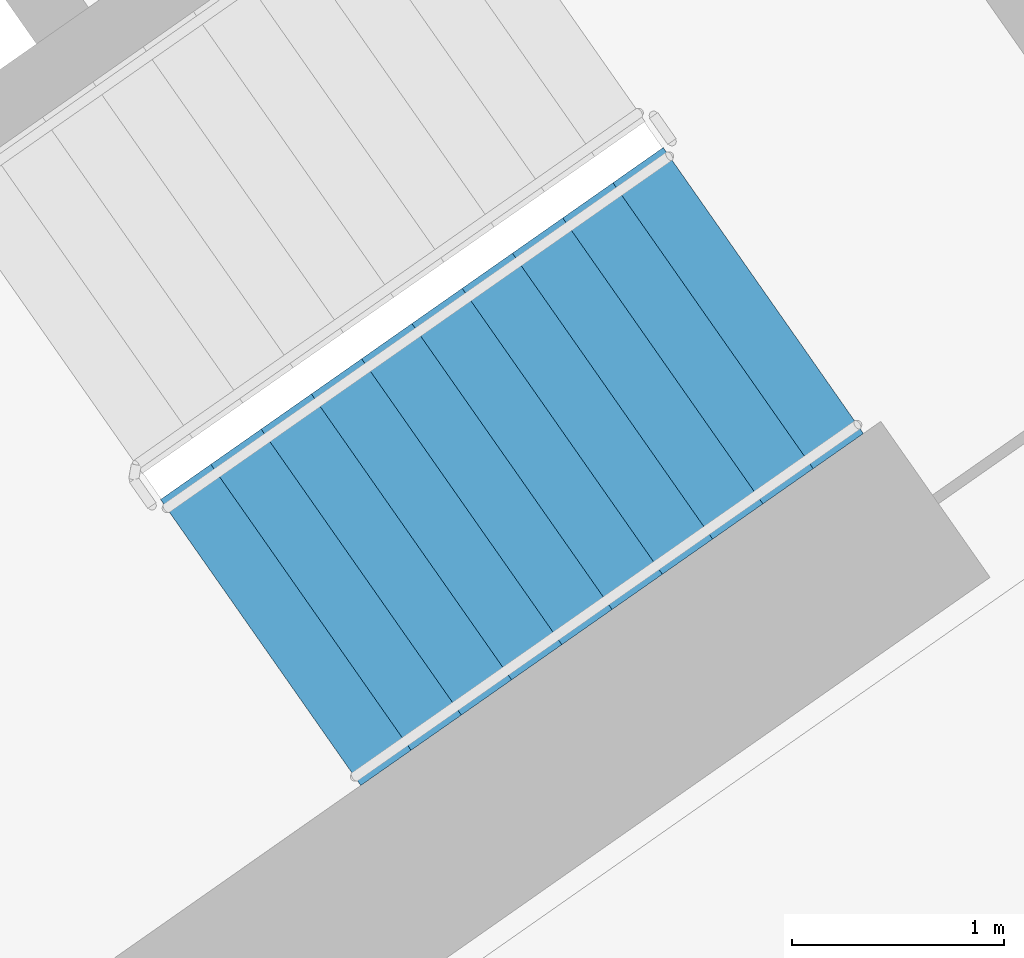
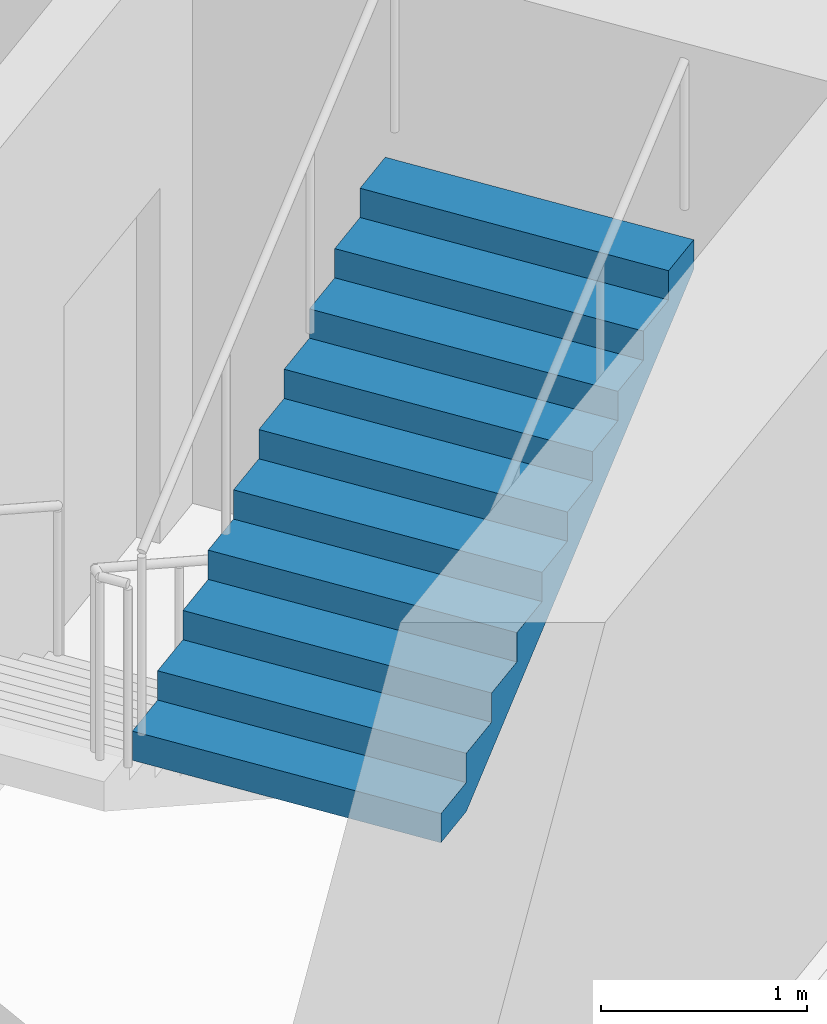
# One storey, part 16 of 29: 1 stair flight, 1 element without a shape of its own.
"""IFC4 building model written with IfcOpenShell, lengths in metres."""

from ifc_helpers import new_model, si_unit, direction, frame, origin, place, context, subcontext, project, spatial, faceted_brep, material, type_object, element, aggregate, save


model = new_model("IFC4")

# Units and contexts
model_context = context("Model", 3, precision=1e-05, world=origin(), true_north=direction((0.0, 1.0)))
body_context = subcontext(model_context, "Body", "Model", "MODEL_VIEW")
ifc_project = project(units=[si_unit("LENGTHUNIT", "METRE"), si_unit("AREAUNIT", "SQUARE_METRE"), si_unit("VOLUMEUNIT", "CUBIC_METRE"), si_unit("PLANEANGLEUNIT", "RADIAN"), si_unit("MASSUNIT", "GRAM", prefix="KILO")], contexts=[model_context])

# Site, building, storey
site_placement = place(None, origin())
site = spatial("IfcSite", under=ifc_project, at=site_placement, CompositionType="ELEMENT")
building_placement = place(site_placement, origin())
building = spatial("IfcBuilding", under=site, at=building_placement, Name="Qamariyya Broadcast Tower", CompositionType="ELEMENT")
storey_placement = place(building_placement, frame((0.0, 0.0, 129.10009765625)))
storey = spatial("IfcBuildingStorey", under=building, at=storey_placement, Name="L29", CompositionType="ELEMENT", Elevation=129.10009765625)

# Stair, stair flight
ifc_material = material(Name="Concrete C50/60", Category="concrete")
stair_type = type_object("IfcStairType", Name="Exit stair 22 risers of 173 mm", PredefinedType="HALF_TURN_STAIR", material=ifc_material)
stair_placement = place(storey_placement, origin())
stair = element("IfcStair", 1, at=stair_placement, inside=storey, type_object=stair_type, Name="L29 Stair E1", PredefinedType="HALF_TURN_STAIR")
stair_flight_type = type_object("IfcStairFlightType", Name="Exit stair flight 11 risers of 173 mm", PredefinedType="STRAIGHT", material=ifc_material)
stair_flight_placement = place(storey_placement, frame((44.693359375, -58.64599609375, 1.89990234375), z_axis=(0.0, 0.0, 1.0), x_axis=(0.819152044289, 0.573576436351, 0.0)))
stair_flight = element("IfcStairFlight", 2, at=stair_flight_placement, type_object=stair_flight_type, Name="ST-E1 flight 2", NumberOfRisers=11, NumberOfTreads=10, PredefinedType="STRAIGHT", RiserHeight=0.172727273, TreadLength=0.29, context=body_context, shape_type="Brep", body=[
    faceted_brep([(0.0, 0.824951171875, 0.0), (0.0, 0.824951171875, 0.172607421875), (0.2900390625, 0.824951171875, 0.172607421875), (0.2900390625, 0.824951171875, 0.345458984375), (0.580078125, 0.824951171875, 0.345458984375), (0.580078125, 0.824951171875, 0.51806640625), (0.8701171875, 0.824951171875, 0.51806640625), (0.8701171875, 0.824951171875, 0.69091796875), (1.159912109375, 0.824951171875, 0.69091796875), (1.159912109375, 0.824951171875, 0.863525390625), (1.449951171875, 0.824951171875, 0.863525390625), (1.449951171875, 0.824951171875, 1.036376953125), (1.739990234375, 0.824951171875, 1.036376953125), (1.739990234375, 0.824951171875, 1.208984375), (2.030029296875, 0.824951171875, 1.208984375), (2.030029296875, 0.824951171875, 1.3818359375), (2.320068359375, 0.824951171875, 1.3818359375), (2.320068359375, 0.824951171875, 1.554443359375), (2.610107421875, 0.824951171875, 1.554443359375), (2.610107421875, 0.824951171875, 1.727294921875), (2.89990234375, 0.824951171875, 1.727294921875), (2.89990234375, 0.824951171875, 1.552734375), (0.29296875, 0.824951171875, 0.0), (0.29296875, -0.824951171875, 0.0), (2.89990234375, -0.824951171875, 1.552734375), (2.89990234375, -0.824951171875, 1.727294921875), (2.610107421875, -0.824951171875, 1.727294921875), (2.610107421875, -0.824951171875, 1.554443359375), (2.320068359375, -0.824951171875, 1.554443359375), (2.320068359375, -0.824951171875, 1.3818359375), (2.030029296875, -0.824951171875, 1.3818359375), (2.030029296875, -0.824951171875, 1.208984375), (1.739990234375, -0.824951171875, 1.208984375), (1.739990234375, -0.824951171875, 1.036376953125), (1.449951171875, -0.824951171875, 1.036376953125), (1.449951171875, -0.824951171875, 0.863525390625), (1.159912109375, -0.824951171875, 0.863525390625), (1.159912109375, -0.824951171875, 0.69091796875), (0.8701171875, -0.824951171875, 0.69091796875), (0.8701171875, -0.824951171875, 0.51806640625), (0.580078125, -0.824951171875, 0.51806640625), (0.580078125, -0.824951171875, 0.345458984375), (0.2900390625, -0.824951171875, 0.345458984375), (0.2900390625, -0.824951171875, 0.172607421875), (0.0, -0.824951171875, 0.172607421875), (0.0, -0.824951171875, 0.0), (0.0, 0.10009765625, 0.0), (0.0, 0.086669921875, 0.0), (0.0, 0.0732421875, 0.0), (0.0, 0.06005859375, 0.0), (0.0, 0.046630859375, 0.0), (0.0, 0.033447265625, 0.0), (0.0, 0.02001953125, 0.0), (0.0, 0.006591796875, 0.0), (0.0, -0.006591796875, 0.0), (0.0, -0.02001953125, 0.0), (0.0, -0.033447265625, 0.0), (0.0, -0.046630859375, 0.0), (0.0, -0.06005859375, 0.0), (0.0, -0.0732421875, 0.0), (0.0, -0.086669921875, 0.0), (0.0, -0.10009765625, 0.0), (0.0, -0.10009765625, 0.172607421875), (0.0, -0.086669921875, 0.172607421875), (0.0, -0.0732421875, 0.172607421875), (0.0, -0.06005859375, 0.172607421875), (0.0, -0.046630859375, 0.172607421875), (0.0, -0.033447265625, 0.172607421875), (0.0, -0.02001953125, 0.172607421875), (0.0, -0.006591796875, 0.172607421875), (0.0, 0.006591796875, 0.172607421875), (0.0, 0.02001953125, 0.172607421875), (0.0, 0.033447265625, 0.172607421875), (0.0, 0.046630859375, 0.172607421875), (0.0, 0.06005859375, 0.172607421875), (0.0, 0.0732421875, 0.172607421875), (0.0, 0.086669921875, 0.172607421875), (0.0, 0.10009765625, 0.172607421875), (0.2900390625, -0.10009765625, 0.172607421875), (0.2900390625, -0.086669921875, 0.172607421875), (0.2900390625, -0.0732421875, 0.172607421875), (0.2900390625, -0.06005859375, 0.172607421875), (0.2900390625, -0.046630859375, 0.172607421875), (0.2900390625, -0.033447265625, 0.172607421875), (0.2900390625, -0.02001953125, 0.172607421875), (0.2900390625, -0.006591796875, 0.172607421875), (0.2900390625, 0.006591796875, 0.172607421875), (0.2900390625, 0.02001953125, 0.172607421875), (0.2900390625, 0.033447265625, 0.172607421875), (0.2900390625, 0.046630859375, 0.172607421875), (0.2900390625, 0.06005859375, 0.172607421875), (0.2900390625, 0.0732421875, 0.172607421875), (0.2900390625, 0.086669921875, 0.172607421875), (0.2900390625, 0.10009765625, 0.172607421875), (0.2900390625, -0.10009765625, 0.345458984375), (0.2900390625, -0.086669921875, 0.345458984375), (0.2900390625, -0.0732421875, 0.345458984375), (0.2900390625, -0.06005859375, 0.345458984375), (0.2900390625, -0.046630859375, 0.345458984375), (0.2900390625, -0.033447265625, 0.345458984375), (0.2900390625, -0.02001953125, 0.345458984375), (0.2900390625, -0.006591796875, 0.345458984375), (0.2900390625, 0.006591796875, 0.345458984375), (0.2900390625, 0.02001953125, 0.345458984375), (0.2900390625, 0.033447265625, 0.345458984375), (0.2900390625, 0.046630859375, 0.345458984375), (0.2900390625, 0.06005859375, 0.345458984375), (0.2900390625, 0.0732421875, 0.345458984375), (0.2900390625, 0.086669921875, 0.345458984375), (0.2900390625, 0.10009765625, 0.345458984375), (0.580078125, -0.10009765625, 0.345458984375), (0.580078125, -0.086669921875, 0.345458984375), (0.580078125, -0.0732421875, 0.345458984375), (0.580078125, -0.06005859375, 0.345458984375), (0.580078125, -0.046630859375, 0.345458984375), (0.580078125, -0.033447265625, 0.345458984375), (0.580078125, -0.02001953125, 0.345458984375), (0.580078125, -0.006591796875, 0.345458984375), (0.580078125, 0.006591796875, 0.345458984375), (0.580078125, 0.02001953125, 0.345458984375), (0.580078125, 0.033447265625, 0.345458984375), (0.580078125, 0.046630859375, 0.345458984375), (0.580078125, 0.06005859375, 0.345458984375), (0.580078125, 0.0732421875, 0.345458984375), (0.580078125, 0.086669921875, 0.345458984375), (0.580078125, 0.10009765625, 0.345458984375), (0.580078125, -0.10009765625, 0.51806640625), (0.580078125, -0.086669921875, 0.51806640625), (0.580078125, -0.0732421875, 0.51806640625), (0.580078125, -0.06005859375, 0.51806640625), (0.580078125, -0.046630859375, 0.51806640625), (0.580078125, -0.033447265625, 0.51806640625), (0.580078125, -0.02001953125, 0.51806640625), (0.580078125, -0.006591796875, 0.51806640625), (0.580078125, 0.006591796875, 0.51806640625), (0.580078125, 0.02001953125, 0.51806640625), (0.580078125, 0.033447265625, 0.51806640625), (0.580078125, 0.046630859375, 0.51806640625), (0.580078125, 0.06005859375, 0.51806640625), (0.580078125, 0.0732421875, 0.51806640625), (0.580078125, 0.086669921875, 0.51806640625), (0.580078125, 0.10009765625, 0.51806640625), (0.8701171875, -0.10009765625, 0.51806640625), (0.8701171875, -0.086669921875, 0.51806640625), (0.8701171875, -0.0732421875, 0.51806640625), (0.8701171875, -0.06005859375, 0.51806640625), (0.8701171875, -0.046630859375, 0.51806640625), (0.8701171875, -0.033447265625, 0.51806640625), (0.8701171875, -0.02001953125, 0.51806640625), (0.8701171875, -0.006591796875, 0.51806640625), (0.8701171875, 0.006591796875, 0.51806640625), (0.8701171875, 0.02001953125, 0.51806640625), (0.8701171875, 0.033447265625, 0.51806640625), (0.8701171875, 0.046630859375, 0.51806640625), (0.8701171875, 0.06005859375, 0.51806640625), (0.8701171875, 0.0732421875, 0.51806640625), (0.8701171875, 0.086669921875, 0.51806640625), (0.8701171875, 0.10009765625, 0.51806640625), (0.8701171875, -0.10009765625, 0.69091796875), (0.8701171875, -0.086669921875, 0.69091796875), (0.8701171875, -0.0732421875, 0.69091796875), (0.8701171875, -0.06005859375, 0.69091796875), (0.8701171875, -0.046630859375, 0.69091796875), (0.8701171875, -0.033447265625, 0.69091796875), (0.8701171875, -0.02001953125, 0.69091796875), (0.8701171875, -0.006591796875, 0.69091796875), (0.8701171875, 0.006591796875, 0.69091796875), (0.8701171875, 0.02001953125, 0.69091796875), (0.8701171875, 0.033447265625, 0.69091796875), (0.8701171875, 0.046630859375, 0.69091796875), (0.8701171875, 0.06005859375, 0.69091796875), (0.8701171875, 0.0732421875, 0.69091796875), (0.8701171875, 0.086669921875, 0.69091796875), (0.8701171875, 0.10009765625, 0.69091796875), (1.159912109375, -0.10009765625, 0.69091796875), (1.159912109375, -0.086669921875, 0.69091796875), (1.159912109375, -0.0732421875, 0.69091796875), (1.159912109375, -0.06005859375, 0.69091796875), (1.159912109375, -0.046630859375, 0.69091796875), (1.159912109375, -0.033447265625, 0.69091796875), (1.159912109375, -0.02001953125, 0.69091796875), (1.159912109375, -0.006591796875, 0.69091796875), (1.159912109375, 0.006591796875, 0.69091796875), (1.159912109375, 0.02001953125, 0.69091796875), (1.159912109375, 0.033447265625, 0.69091796875), (1.159912109375, 0.046630859375, 0.69091796875), (1.159912109375, 0.06005859375, 0.69091796875), (1.159912109375, 0.0732421875, 0.69091796875), (1.159912109375, 0.086669921875, 0.69091796875), (1.159912109375, 0.10009765625, 0.69091796875), (1.159912109375, -0.10009765625, 0.863525390625), (1.159912109375, -0.086669921875, 0.863525390625), (1.159912109375, -0.0732421875, 0.863525390625), (1.159912109375, -0.06005859375, 0.863525390625), (1.159912109375, -0.046630859375, 0.863525390625), (1.159912109375, -0.033447265625, 0.863525390625), (1.159912109375, -0.02001953125, 0.863525390625), (1.159912109375, -0.006591796875, 0.863525390625), (1.159912109375, 0.006591796875, 0.863525390625), (1.159912109375, 0.02001953125, 0.863525390625), (1.159912109375, 0.033447265625, 0.863525390625), (1.159912109375, 0.046630859375, 0.863525390625), (1.159912109375, 0.06005859375, 0.863525390625), (1.159912109375, 0.0732421875, 0.863525390625), (1.159912109375, 0.086669921875, 0.863525390625), (1.159912109375, 0.10009765625, 0.863525390625), (1.449951171875, -0.10009765625, 0.863525390625), (1.449951171875, -0.086669921875, 0.863525390625), (1.449951171875, -0.0732421875, 0.863525390625), (1.449951171875, -0.06005859375, 0.863525390625), (1.449951171875, -0.046630859375, 0.863525390625), (1.449951171875, -0.033447265625, 0.863525390625), (1.449951171875, -0.02001953125, 0.863525390625), (1.449951171875, -0.006591796875, 0.863525390625), (1.449951171875, 0.006591796875, 0.863525390625), (1.449951171875, 0.02001953125, 0.863525390625), (1.449951171875, 0.033447265625, 0.863525390625), (1.449951171875, 0.046630859375, 0.863525390625), (1.449951171875, 0.06005859375, 0.863525390625), (1.449951171875, 0.0732421875, 0.863525390625), (1.449951171875, 0.086669921875, 0.863525390625), (1.449951171875, 0.10009765625, 0.863525390625), (1.449951171875, -0.10009765625, 1.036376953125), (1.449951171875, -0.086669921875, 1.036376953125), (1.449951171875, -0.0732421875, 1.036376953125), (1.449951171875, -0.06005859375, 1.036376953125), (1.449951171875, -0.046630859375, 1.036376953125), (1.449951171875, -0.033447265625, 1.036376953125), (1.449951171875, -0.02001953125, 1.036376953125), (1.449951171875, -0.006591796875, 1.036376953125), (1.449951171875, 0.006591796875, 1.036376953125), (1.449951171875, 0.02001953125, 1.036376953125), (1.449951171875, 0.033447265625, 1.036376953125), (1.449951171875, 0.046630859375, 1.036376953125), (1.449951171875, 0.06005859375, 1.036376953125), (1.449951171875, 0.0732421875, 1.036376953125), (1.449951171875, 0.086669921875, 1.036376953125), (1.449951171875, 0.10009765625, 1.036376953125), (1.739990234375, -0.10009765625, 1.036376953125), (1.739990234375, -0.086669921875, 1.036376953125), (1.739990234375, -0.0732421875, 1.036376953125), (1.739990234375, -0.06005859375, 1.036376953125), (1.739990234375, -0.046630859375, 1.036376953125), (1.739990234375, -0.033447265625, 1.036376953125), (1.739990234375, -0.02001953125, 1.036376953125), (1.739990234375, -0.006591796875, 1.036376953125), (1.739990234375, 0.006591796875, 1.036376953125), (1.739990234375, 0.02001953125, 1.036376953125), (1.739990234375, 0.033447265625, 1.036376953125), (1.739990234375, 0.046630859375, 1.036376953125), (1.739990234375, 0.06005859375, 1.036376953125), (1.739990234375, 0.0732421875, 1.036376953125), (1.739990234375, 0.086669921875, 1.036376953125), (1.739990234375, 0.10009765625, 1.036376953125), (1.739990234375, -0.10009765625, 1.208984375), (1.739990234375, -0.086669921875, 1.208984375), (1.739990234375, -0.0732421875, 1.208984375), (1.739990234375, -0.06005859375, 1.208984375), (1.739990234375, -0.046630859375, 1.208984375), (1.739990234375, -0.033447265625, 1.208984375), (1.739990234375, -0.02001953125, 1.208984375), (1.739990234375, -0.006591796875, 1.208984375), (1.739990234375, 0.006591796875, 1.208984375), (1.739990234375, 0.02001953125, 1.208984375), (1.739990234375, 0.033447265625, 1.208984375), (1.739990234375, 0.046630859375, 1.208984375), (1.739990234375, 0.06005859375, 1.208984375), (1.739990234375, 0.0732421875, 1.208984375), (1.739990234375, 0.086669921875, 1.208984375), (1.739990234375, 0.10009765625, 1.208984375), (2.030029296875, -0.10009765625, 1.208984375), (2.030029296875, -0.086669921875, 1.208984375), (2.030029296875, -0.0732421875, 1.208984375), (2.030029296875, -0.06005859375, 1.208984375), (2.030029296875, -0.046630859375, 1.208984375), (2.030029296875, -0.033447265625, 1.208984375), (2.030029296875, -0.02001953125, 1.208984375), (2.030029296875, -0.006591796875, 1.208984375), (2.030029296875, 0.006591796875, 1.208984375), (2.030029296875, 0.02001953125, 1.208984375), (2.030029296875, 0.033447265625, 1.208984375), (2.030029296875, 0.046630859375, 1.208984375), (2.030029296875, 0.06005859375, 1.208984375), (2.030029296875, 0.0732421875, 1.208984375), (2.030029296875, 0.086669921875, 1.208984375), (2.030029296875, 0.10009765625, 1.208984375), (2.030029296875, -0.10009765625, 1.3818359375), (2.030029296875, -0.086669921875, 1.3818359375), (2.030029296875, -0.0732421875, 1.3818359375), (2.030029296875, -0.06005859375, 1.3818359375), (2.030029296875, -0.046630859375, 1.3818359375), (2.030029296875, -0.033447265625, 1.3818359375), (2.030029296875, -0.02001953125, 1.3818359375), (2.030029296875, -0.006591796875, 1.3818359375), (2.030029296875, 0.006591796875, 1.3818359375), (2.030029296875, 0.02001953125, 1.3818359375), (2.030029296875, 0.033447265625, 1.3818359375), (2.030029296875, 0.046630859375, 1.3818359375), (2.030029296875, 0.06005859375, 1.3818359375), (2.030029296875, 0.0732421875, 1.3818359375), (2.030029296875, 0.086669921875, 1.3818359375), (2.030029296875, 0.10009765625, 1.3818359375), (2.320068359375, -0.10009765625, 1.3818359375), (2.320068359375, -0.086669921875, 1.3818359375), (2.320068359375, -0.0732421875, 1.3818359375), (2.320068359375, -0.06005859375, 1.3818359375), (2.320068359375, -0.046630859375, 1.3818359375), (2.320068359375, -0.033447265625, 1.3818359375), (2.320068359375, -0.02001953125, 1.3818359375), (2.320068359375, -0.006591796875, 1.3818359375), (2.320068359375, 0.006591796875, 1.3818359375), (2.320068359375, 0.02001953125, 1.3818359375), (2.320068359375, 0.033447265625, 1.3818359375), (2.320068359375, 0.046630859375, 1.3818359375), (2.320068359375, 0.06005859375, 1.3818359375), (2.320068359375, 0.0732421875, 1.3818359375), (2.320068359375, 0.086669921875, 1.3818359375), (2.320068359375, 0.10009765625, 1.3818359375), (2.320068359375, -0.10009765625, 1.554443359375), (2.320068359375, -0.086669921875, 1.554443359375), (2.320068359375, -0.0732421875, 1.554443359375), (2.320068359375, -0.06005859375, 1.554443359375), (2.320068359375, -0.046630859375, 1.554443359375), (2.320068359375, -0.033447265625, 1.554443359375), (2.320068359375, -0.02001953125, 1.554443359375), (2.320068359375, -0.006591796875, 1.554443359375), (2.320068359375, 0.006591796875, 1.554443359375), (2.320068359375, 0.02001953125, 1.554443359375), (2.320068359375, 0.033447265625, 1.554443359375), (2.320068359375, 0.046630859375, 1.554443359375), (2.320068359375, 0.06005859375, 1.554443359375), (2.320068359375, 0.0732421875, 1.554443359375), (2.320068359375, 0.086669921875, 1.554443359375), (2.320068359375, 0.10009765625, 1.554443359375), (2.610107421875, -0.10009765625, 1.554443359375), (2.610107421875, -0.086669921875, 1.554443359375), (2.610107421875, -0.0732421875, 1.554443359375), (2.610107421875, -0.06005859375, 1.554443359375), (2.610107421875, -0.046630859375, 1.554443359375), (2.610107421875, -0.033447265625, 1.554443359375), (2.610107421875, -0.02001953125, 1.554443359375), (2.610107421875, -0.006591796875, 1.554443359375), (2.610107421875, 0.006591796875, 1.554443359375), (2.610107421875, 0.02001953125, 1.554443359375), (2.610107421875, 0.033447265625, 1.554443359375), (2.610107421875, 0.046630859375, 1.554443359375), (2.610107421875, 0.06005859375, 1.554443359375), (2.610107421875, 0.0732421875, 1.554443359375), (2.610107421875, 0.086669921875, 1.554443359375), (2.610107421875, 0.10009765625, 1.554443359375), (2.610107421875, -0.10009765625, 1.727294921875), (2.610107421875, -0.086669921875, 1.727294921875), (2.610107421875, -0.0732421875, 1.727294921875), (2.610107421875, -0.06005859375, 1.727294921875), (2.610107421875, -0.046630859375, 1.727294921875), (2.610107421875, -0.033447265625, 1.727294921875), (2.610107421875, -0.02001953125, 1.727294921875), (2.610107421875, -0.006591796875, 1.727294921875), (2.610107421875, 0.006591796875, 1.727294921875), (2.610107421875, 0.02001953125, 1.727294921875), (2.610107421875, 0.033447265625, 1.727294921875), (2.610107421875, 0.046630859375, 1.727294921875), (2.610107421875, 0.06005859375, 1.727294921875), (2.610107421875, 0.0732421875, 1.727294921875), (2.610107421875, 0.086669921875, 1.727294921875), (2.610107421875, 0.10009765625, 1.727294921875), (2.89990234375, -0.10009765625, 1.727294921875), (2.89990234375, -0.086669921875, 1.727294921875), (2.89990234375, -0.0732421875, 1.727294921875), (2.89990234375, -0.06005859375, 1.727294921875), (2.89990234375, -0.046630859375, 1.727294921875), (2.89990234375, -0.033447265625, 1.727294921875), (2.89990234375, -0.02001953125, 1.727294921875), (2.89990234375, -0.006591796875, 1.727294921875), (2.89990234375, 0.006591796875, 1.727294921875), (2.89990234375, 0.02001953125, 1.727294921875), (2.89990234375, 0.033447265625, 1.727294921875), (2.89990234375, 0.046630859375, 1.727294921875), (2.89990234375, 0.06005859375, 1.727294921875), (2.89990234375, 0.0732421875, 1.727294921875), (2.89990234375, 0.086669921875, 1.727294921875), (2.89990234375, 0.10009765625, 1.727294921875), (2.89990234375, -0.10009765625, 1.552734375), (2.89990234375, -0.086669921875, 1.552734375), (2.89990234375, -0.0732421875, 1.552734375), (2.89990234375, -0.06005859375, 1.552734375), (2.89990234375, -0.046630859375, 1.552734375), (2.89990234375, -0.033447265625, 1.552734375), (2.89990234375, -0.02001953125, 1.552734375), (2.89990234375, -0.006591796875, 1.552734375), (2.89990234375, 0.006591796875, 1.552734375), (2.89990234375, 0.02001953125, 1.552734375), (2.89990234375, 0.033447265625, 1.552734375), (2.89990234375, 0.046630859375, 1.552734375), (2.89990234375, 0.06005859375, 1.552734375), (2.89990234375, 0.0732421875, 1.552734375), (2.89990234375, 0.086669921875, 1.552734375), (2.89990234375, 0.10009765625, 1.552734375), (0.29296875, -0.10009765625, 0.0), (0.29296875, -0.086669921875, 0.0), (0.29296875, -0.0732421875, 0.0), (0.29296875, -0.06005859375, 0.0), (0.29296875, -0.046630859375, 0.0), (0.29296875, -0.033447265625, 0.0), (0.29296875, -0.02001953125, 0.0), (0.29296875, -0.006591796875, 0.0), (0.29296875, 0.006591796875, 0.0), (0.29296875, 0.02001953125, 0.0), (0.29296875, 0.033447265625, 0.0), (0.29296875, 0.046630859375, 0.0), (0.29296875, 0.06005859375, 0.0), (0.29296875, 0.0732421875, 0.0), (0.29296875, 0.086669921875, 0.0), (0.29296875, 0.10009765625, 0.0)], [[[0, 1, 2, 3, 4, 5, 6, 7, 8, 9, 10, 11, 12, 13, 14, 15, 16, 17, 18, 19, 20, 21, 22]], [[23, 24, 25, 26, 27, 28, 29, 30, 31, 32, 33, 34, 35, 36, 37, 38, 39, 40, 41, 42, 43, 44, 45]], [[0, 46, 47, 48, 49, 50, 51, 52, 53, 54, 55, 56, 57, 58, 59, 60, 61, 45, 44, 62, 63, 64, 65, 66, 67, 68, 69, 70, 71, 72, 73, 74, 75, 76, 77, 1]], [[1, 77, 76, 75, 74, 73, 72, 71, 70, 69, 68, 67, 66, 65, 64, 63, 62, 44, 43, 78, 79, 80, 81, 82, 83, 84, 85, 86, 87, 88, 89, 90, 91, 92, 93, 2]], [[2, 93, 92, 91, 90, 89, 88, 87, 86, 85, 84, 83, 82, 81, 80, 79, 78, 43, 42, 94, 95, 96, 97, 98, 99, 100, 101, 102, 103, 104, 105, 106, 107, 108, 109, 3]], [[3, 109, 108, 107, 106, 105, 104, 103, 102, 101, 100, 99, 98, 97, 96, 95, 94, 42, 41, 110, 111, 112, 113, 114, 115, 116, 117, 118, 119, 120, 121, 122, 123, 124, 125, 4]], [[4, 125, 124, 123, 122, 121, 120, 119, 118, 117, 116, 115, 114, 113, 112, 111, 110, 41, 40, 126, 127, 128, 129, 130, 131, 132, 133, 134, 135, 136, 137, 138, 139, 140, 141, 5]], [[5, 141, 140, 139, 138, 137, 136, 135, 134, 133, 132, 131, 130, 129, 128, 127, 126, 40, 39, 142, 143, 144, 145, 146, 147, 148, 149, 150, 151, 152, 153, 154, 155, 156, 157, 6]], [[6, 157, 156, 155, 154, 153, 152, 151, 150, 149, 148, 147, 146, 145, 144, 143, 142, 39, 38, 158, 159, 160, 161, 162, 163, 164, 165, 166, 167, 168, 169, 170, 171, 172, 173, 7]], [[7, 173, 172, 171, 170, 169, 168, 167, 166, 165, 164, 163, 162, 161, 160, 159, 158, 38, 37, 174, 175, 176, 177, 178, 179, 180, 181, 182, 183, 184, 185, 186, 187, 188, 189, 8]], [[8, 189, 188, 187, 186, 185, 184, 183, 182, 181, 180, 179, 178, 177, 176, 175, 174, 37, 36, 190, 191, 192, 193, 194, 195, 196, 197, 198, 199, 200, 201, 202, 203, 204, 205, 9]], [[9, 205, 204, 203, 202, 201, 200, 199, 198, 197, 196, 195, 194, 193, 192, 191, 190, 36, 35, 206, 207, 208, 209, 210, 211, 212, 213, 214, 215, 216, 217, 218, 219, 220, 221, 10]], [[10, 221, 220, 219, 218, 217, 216, 215, 214, 213, 212, 211, 210, 209, 208, 207, 206, 35, 34, 222, 223, 224, 225, 226, 227, 228, 229, 230, 231, 232, 233, 234, 235, 236, 237, 11]], [[11, 237, 236, 235, 234, 233, 232, 231, 230, 229, 228, 227, 226, 225, 224, 223, 222, 34, 33, 238, 239, 240, 241, 242, 243, 244, 245, 246, 247, 248, 249, 250, 251, 252, 253, 12]], [[12, 253, 252, 251, 250, 249, 248, 247, 246, 245, 244, 243, 242, 241, 240, 239, 238, 33, 32, 254, 255, 256, 257, 258, 259, 260, 261, 262, 263, 264, 265, 266, 267, 268, 269, 13]], [[13, 269, 268, 267, 266, 265, 264, 263, 262, 261, 260, 259, 258, 257, 256, 255, 254, 32, 31, 270, 271, 272, 273, 274, 275, 276, 277, 278, 279, 280, 281, 282, 283, 284, 285, 14]], [[14, 285, 284, 283, 282, 281, 280, 279, 278, 277, 276, 275, 274, 273, 272, 271, 270, 31, 30, 286, 287, 288, 289, 290, 291, 292, 293, 294, 295, 296, 297, 298, 299, 300, 301, 15]], [[15, 301, 300, 299, 298, 297, 296, 295, 294, 293, 292, 291, 290, 289, 288, 287, 286, 30, 29, 302, 303, 304, 305, 306, 307, 308, 309, 310, 311, 312, 313, 314, 315, 316, 317, 16]], [[16, 317, 316, 315, 314, 313, 312, 311, 310, 309, 308, 307, 306, 305, 304, 303, 302, 29, 28, 318, 319, 320, 321, 322, 323, 324, 325, 326, 327, 328, 329, 330, 331, 332, 333, 17]], [[17, 333, 332, 331, 330, 329, 328, 327, 326, 325, 324, 323, 322, 321, 320, 319, 318, 28, 27, 334, 335, 336, 337, 338, 339, 340, 341, 342, 343, 344, 345, 346, 347, 348, 349, 18]], [[18, 349, 348, 347, 346, 345, 344, 343, 342, 341, 340, 339, 338, 337, 336, 335, 334, 27, 26, 350, 351, 352, 353, 354, 355, 356, 357, 358, 359, 360, 361, 362, 363, 364, 365, 19]], [[19, 365, 364, 363, 362, 361, 360, 359, 358, 357, 356, 355, 354, 353, 352, 351, 350, 26, 25, 366, 367, 368, 369, 370, 371, 372, 373, 374, 375, 376, 377, 378, 379, 380, 381, 20]], [[20, 381, 380, 379, 378, 377, 376, 375, 374, 373, 372, 371, 370, 369, 368, 367, 366, 25, 24, 382, 383, 384, 385, 386, 387, 388, 389, 390, 391, 392, 393, 394, 395, 396, 397, 21]], [[21, 397, 396, 395, 394, 393, 392, 391, 390, 389, 388, 387, 386, 385, 384, 383, 382, 24, 23, 398, 399, 400, 401, 402, 403, 404, 405, 406, 407, 408, 409, 410, 411, 412, 413, 22]], [[22, 413, 412, 411, 410, 409, 408, 407, 406, 405, 404, 403, 402, 401, 400, 399, 398, 23, 45, 61, 60, 59, 58, 57, 56, 55, 54, 53, 52, 51, 50, 49, 48, 47, 46, 0]]]),
])
aggregate(stair, [stair_flight])

save(model, "model.ifc")
